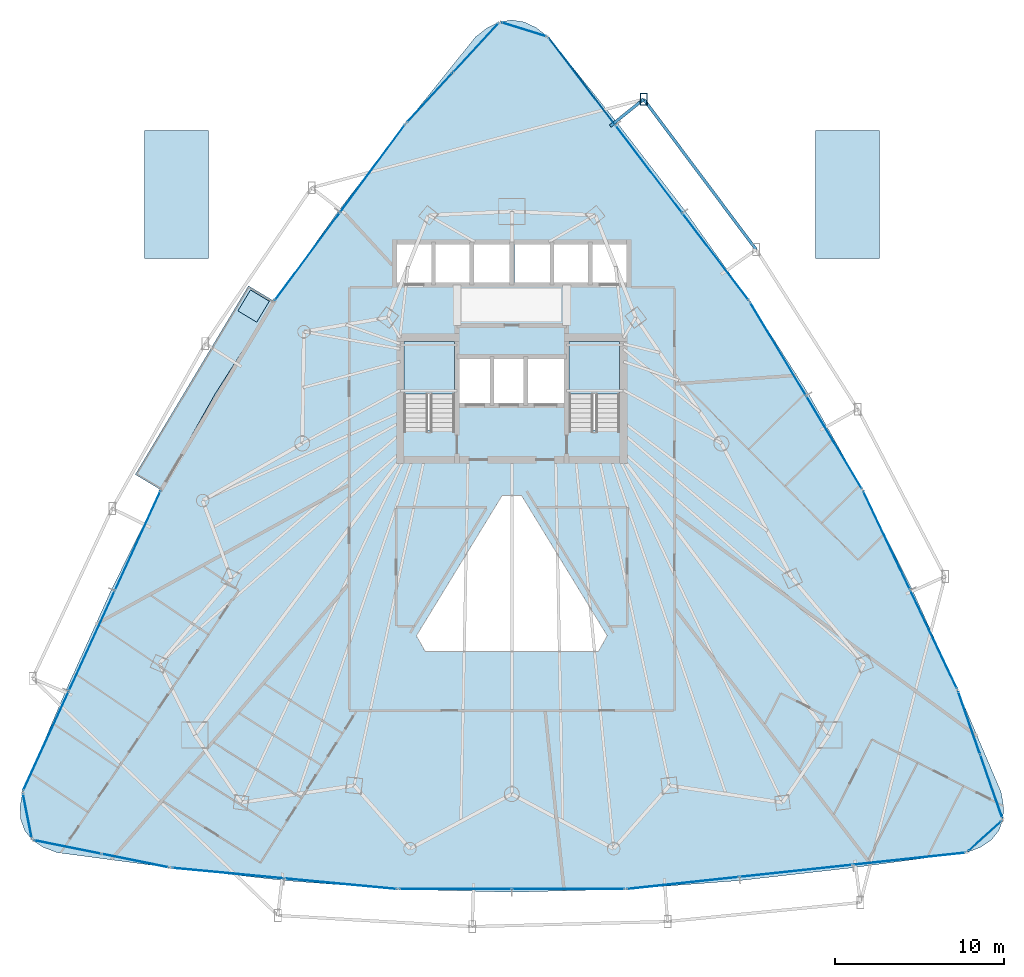
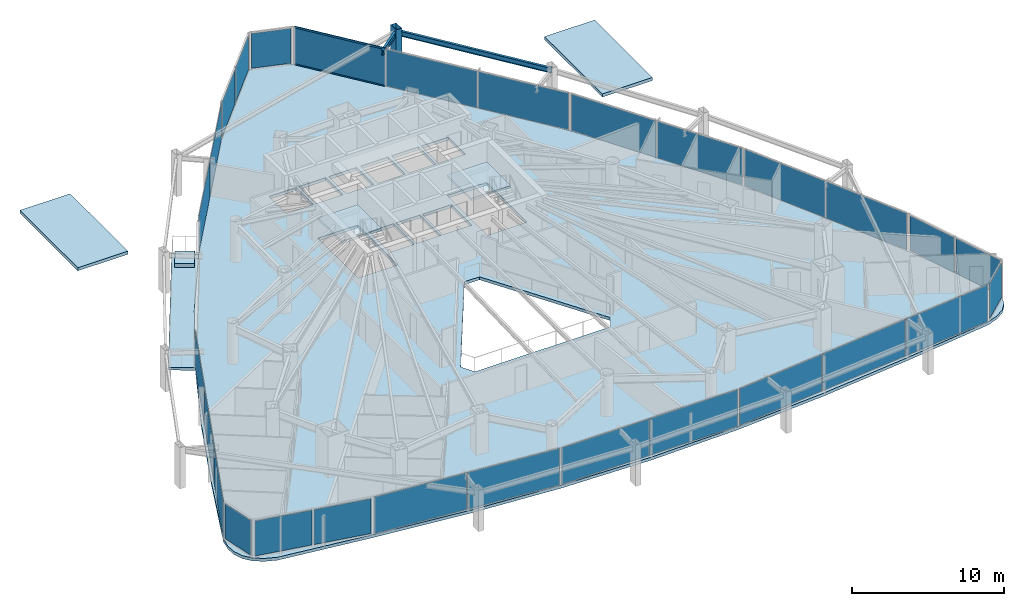
# One storey, part 28 of 35: 28 plates, 7 slabs, 3 members, 2 beams, 16 elements without a shape of their own.
"""IFC4 building model written with IfcOpenShell, lengths in metres."""

from ifc_helpers import new_model, si_unit, direction, frame, origin, origin_2d, place, context, subcontext, project, spatial, polyline, rectangle, hollow_rectangle, i_section, outline, extrude, material, layer, layer_set, material_profile, profile_set, type_object, element, aggregate, save


model = new_model("IFC4")

# Units and contexts
model_context = context("Model", 3, precision=1e-05, world=origin(), true_north=direction((0.0, 1.0)))
body_context = subcontext(model_context, "Body", "Model", "MODEL_VIEW")
ifc_project = project(units=[si_unit("LENGTHUNIT", "METRE"), si_unit("AREAUNIT", "SQUARE_METRE"), si_unit("VOLUMEUNIT", "CUBIC_METRE"), si_unit("PLANEANGLEUNIT", "RADIAN"), si_unit("MASSUNIT", "GRAM", prefix="KILO")], contexts=[model_context])

# Site, building, storey
site_placement = place(None, origin())
site = spatial("IfcSite", under=ifc_project, at=site_placement, CompositionType="ELEMENT")
building_placement = place(site_placement, origin())
building = spatial("IfcBuilding", under=site, at=building_placement, Name="Orvanel Arch Residences", CompositionType="ELEMENT")
storey_placement = place(building_placement, frame((0.0, 0.0, 26.89990234375)))
storey = spatial("IfcBuildingStorey", under=building, at=storey_placement, Name="L06", CompositionType="ELEMENT", Elevation=26.89990234375)

# Member
ifc_material_1 = material(Name="Structural steel AS/NZS 3678 Grade 350", Category="steel")
ifc_material_profile_1 = material_profile(ifc_material_1, hollow_rectangle(XDim=0.419921875, YDim=0.719970703125, WallThickness=0.02490234375, at=origin_2d()), Name="RHS720x420x25")
ifc_profile_set_1 = profile_set([ifc_material_profile_1], Name="Structural steel AS/NZS 3678 Grade 350")
member_type_1 = type_object("IfcMemberType", Name="CH-720RHS-EXT", PredefinedType="CHORD", material=ifc_profile_set_1)
member_1_placement = place(storey_placement, frame((40.822021484375, 48.05908203125, 0.0), z_axis=(0.0, 0.0, 1.0), x_axis=(1.0, 0.0, 0.0)))
element("IfcMember", 1, at=member_1_placement, inside=storey, type_object=member_type_1, Name="L06 Outer Perimeter Frame Post 12", PredefinedType="CHORD", context=body_context, shape_type="SweptSolid", body=[
    extrude(hollow_rectangle(XDim=0.419921875, YDim=0.719970703125, WallThickness=0.02490234375, at=origin_2d()), origin(), (0.0, 0.0, 1.0), 3.300048828125),
])

# Beams
ifc_material_2 = material(Name="Structural steel AS/NZS 3679.1 Grade 300 (300 MPa)", Category="steel")
ifc_material_profile_2 = material_profile(ifc_material_2, i_section(OverallWidth=0.177978515625, OverallDepth=0.406005859375, WebThickness=0.0078125, FlangeThickness=0.0126953125, at=origin_2d()), Name="410UB59.7")
ifc_profile_set_2 = profile_set([ifc_material_profile_2], Name="Structural steel AS/NZS 3679.1 Grade 300 (300 MPa)")
beam_type = type_object("IfcBeamType", Name="OB-410UB-EXT", PredefinedType="SPANDREL", material=ifc_profile_set_2)
beam_1_placement = place(storey_placement, frame((47.489013671875, 39.14306640625, 2.857177734375), z_axis=(-0.598848523343, 0.800862314065, 0.0), x_axis=(-0.800862314065, -0.598848523343, 0.0)))
element("IfcBeam", 2, at=beam_1_placement, inside=storey, type_object=beam_type, Name="L06 Outer Perimeter Floor Ring Beam 11", PredefinedType="SPANDREL", context=body_context, shape_type="SweptSolid", body=[
    extrude(i_section(OverallWidth=0.177978515625, OverallDepth=0.406005859375, WebThickness=0.0078125, FlangeThickness=0.0126953125, at=origin_2d()), origin(), (0.0, 0.0, 1.0), 11.133056640625),
])
beam_2_placement = place(storey_placement, frame((38.8349609375, 46.4609375, 2.857177734375), z_axis=(0.779240894575, 0.626724523392, 0.0), x_axis=(-0.626724523392, 0.779240894575, 0.0)))
element("IfcBeam", 3, at=beam_2_placement, inside=storey, type_object=beam_type, Name="L06 Outer Frame Radial Tie Beam 12", PredefinedType="SPANDREL", context=body_context, shape_type="SweptSolid", body=[
    extrude(i_section(OverallWidth=0.177978515625, OverallDepth=0.406005859375, WebThickness=0.0078125, FlangeThickness=0.0126953125, at=origin_2d()), origin(), (0.0, 0.0, 1.0), 2.550048828125),
])

# Curtain wall, members
ifc_material_3 = material(Name="Bronze-anodised aluminium AA6063-T6", Category="aluminium")
ifc_layer_1 = layer(ifc_material_3, 0.179931640625)
ifc_layer_set_1 = layer_set([ifc_layer_1], Name="Bronze-anodised aluminium AA6063-T6")
curtain_wall_type_1 = type_object("IfcCurtainWallType", Name="CW2-LOW-SYS", PredefinedType="NOTDEFINED", material=ifc_layer_set_1)
curtain_wall_1_placement = place(storey_placement, origin())
curtain_wall_1 = element("IfcCurtainWall", 4, at=curtain_wall_1_placement, inside=storey, type_object=curtain_wall_type_1, Name="L06 CW2-LOW-SYS Unitised Curtain Wall", PredefinedType="NOTDEFINED")
ifc_material_profile_3 = material_profile(ifc_material_3, hollow_rectangle(XDim=0.06005859375, YDim=0.135009765625, WallThickness=0.00390625, at=origin_2d()), Name="ALU135x60x4")
ifc_profile_set_3 = profile_set([ifc_material_profile_3], Name="Bronze-anodised aluminium AA6063-T6")
member_type_2 = type_object("IfcMemberType", Name="TRN-135x60", PredefinedType="USERDEFINED", material=ifc_profile_set_3)
member_2_placement = place(storey_placement, frame((39.120361328125, 46.546630859375, 0.030029296875), z_axis=(-0.605818439678, 0.795602927437, 0.0), x_axis=(-0.795602927437, -0.605818439678, 0.0)))
member_2 = element("IfcMember", 5, at=member_2_placement, type_object=member_type_2, Name="CW-S2 transom 3.1", ObjectType="TRANSOM", PredefinedType="USERDEFINED", context=body_context, shape_type="SweptSolid", body=[
    extrude(hollow_rectangle(XDim=0.06005859375, YDim=0.135009765625, WallThickness=0.00390625, at=origin_2d()), origin(), (0.0, 0.0, 1.0), 6.447509765625),
])
member_3_placement = place(storey_placement, frame((39.120361328125, 46.546630859375, 3.030029296875), z_axis=(-0.605818439678, 0.795602927437, 0.0), x_axis=(-0.795602927437, -0.605818439678, 0.0)))
member_3 = element("IfcMember", 6, at=member_3_placement, type_object=member_type_2, Name="CW-S2 transom 3.2", ObjectType="TRANSOM", PredefinedType="USERDEFINED", context=body_context, shape_type="SweptSolid", body=[
    extrude(hollow_rectangle(XDim=0.06005859375, YDim=0.135009765625, WallThickness=0.00390625, at=origin_2d()), origin(), (0.0, 0.0, 1.0), 6.447509765625),
])

# Curtain wall, plates
curtain_wall_2_placement = place(storey_placement, origin())
curtain_wall_2 = element("IfcCurtainWall", 7, at=curtain_wall_2_placement, inside=storey, type_object=curtain_wall_type_1, Name="L06 CW2-LOW-SYS Unitised Curtain Wall", PredefinedType="NOTDEFINED")
ifc_material_4 = material(Name="Double-glazed solar-control low-E safety glass", Category="glass")
ifc_layer_2 = layer(ifc_material_4, 0.028076171875)
ifc_layer_set_2 = layer_set([ifc_layer_2], Name="Double-glazed solar-control low-E safety glass")
plate_type_1 = type_object("IfcPlateType", Name="PNL-GLZ-28", PredefinedType="CURTAIN_PANEL", material=ifc_layer_set_2)
plate_1_placement = place(storey_placement, frame((24.74365234375, 43.95751953125, 0.06005859375), z_axis=(0.0, 0.0, 1.0), x_axis=(-0.595117785002, -0.803638489605, 0.0)))
plate_1 = element("IfcPlate", 8, at=plate_1_placement, type_object=plate_type_1, Name="CW-S2 panel 1.1", PredefinedType="CURTAIN_PANEL", context=body_context, shape_type="SweptSolid", body=[
    extrude(rectangle(XDim=6.431640625, YDim=0.028076171875, at=origin_2d()), origin(), (0.0, 0.0, 1.0), 2.93994140625),
])
plate_2_placement = place(storey_placement, frame((20.87451171875, 38.732666015625, 0.06005859375), z_axis=(0.0, 0.0, 1.0), x_axis=(-0.595117785002, -0.803638489605, 0.0)))
plate_2 = element("IfcPlate", 9, at=plate_2_placement, type_object=plate_type_1, Name="CW-S2 panel 2.1", PredefinedType="CURTAIN_PANEL", context=body_context, shape_type="SweptSolid", body=[
    extrude(rectangle(XDim=6.431640625, YDim=0.028076171875, at=origin_2d()), origin(), (0.0, 0.0, 1.0), 2.93994140625),
])
aggregate(curtain_wall_2, [plate_1, plate_2])

curtain_wall_3_placement = place(storey_placement, origin())
curtain_wall_3 = element("IfcCurtainWall", 10, at=curtain_wall_3_placement, inside=storey, type_object=curtain_wall_type_1, Name="L06 CW2-LOW-SYS Unitised Curtain Wall", PredefinedType="NOTDEFINED")
plate_3_placement = place(storey_placement, frame((10.812255859375, 21.870849609375, 0.06005859375), z_axis=(0.0, 0.0, 1.0), x_axis=(-0.416763304229, -0.909015042916, 0.0)))
plate_3 = element("IfcPlate", 11, at=plate_3_placement, type_object=plate_type_1, Name="CW-S2 panel 1.1", PredefinedType="CURTAIN_PANEL", context=body_context, shape_type="SweptSolid", body=[
    extrude(rectangle(XDim=6.447998046875, YDim=0.028076171875, at=origin_2d()), origin(), (0.0, 0.0, 1.0), 2.93994140625),
])
plate_4_placement = place(storey_placement, frame((8.08837890625, 15.929931640625, 0.06005859375), z_axis=(0.0, 0.0, 1.0), x_axis=(-0.416763304229, -0.909015042916, 0.0)))
plate_4 = element("IfcPlate", 12, at=plate_4_placement, type_object=plate_type_1, Name="CW-S2 panel 2.1", PredefinedType="CURTAIN_PANEL", context=body_context, shape_type="SweptSolid", body=[
    extrude(rectangle(XDim=6.48291015625, YDim=0.028076171875, at=origin_2d()), origin(), (0.0, 0.0, 1.0), 2.93994140625),
])
plate_5_placement = place(storey_placement, frame((5.36474609375, 9.9892578125, 0.06005859375), z_axis=(0.0, 0.0, 1.0), x_axis=(-0.416763304229, -0.909015042916, 0.0)))
plate_5 = element("IfcPlate", 13, at=plate_5_placement, type_object=plate_type_1, Name="CW-S2 panel 3.1", PredefinedType="CURTAIN_PANEL", context=body_context, shape_type="SweptSolid", body=[
    extrude(rectangle(XDim=6.447998046875, YDim=0.028076171875, at=origin_2d()), origin(), (0.0, 0.0, 1.0), 2.93994140625),
])
aggregate(curtain_wall_3, [plate_3, plate_4, plate_5])

curtain_wall_4_placement = place(storey_placement, origin())
curtain_wall_4 = element("IfcCurtainWall", 14, at=curtain_wall_4_placement, inside=storey, type_object=curtain_wall_type_1, Name="L06 CW2-LOW-SYS Unitised Curtain Wall", PredefinedType="NOTDEFINED")
plate_6_placement = place(storey_placement, frame((16.166748046875, 2.1552734375, 0.06005859375), z_axis=(0.0, 0.0, 1.0), x_axis=(0.995584855885, -0.093865833683, 0.0)))
plate_6 = element("IfcPlate", 15, at=plate_6_placement, type_object=plate_type_1, Name="CW-S2 panel 1.1", PredefinedType="CURTAIN_PANEL", context=body_context, shape_type="SweptSolid", body=[
    extrude(rectangle(XDim=6.6494140625, YDim=0.028076171875, at=origin_2d()), origin(), (0.0, 0.0, 1.0), 2.93994140625),
])
plate_7_placement = place(storey_placement, frame((22.8564453125, 1.524658203125, 0.06005859375), z_axis=(0.0, 0.0, 1.0), x_axis=(0.995584855885, -0.093865833683, 0.0)))
plate_7 = element("IfcPlate", 16, at=plate_7_placement, type_object=plate_type_1, Name="CW-S2 panel 2.1", PredefinedType="CURTAIN_PANEL", context=body_context, shape_type="SweptSolid", body=[
    extrude(rectangle(XDim=6.6494140625, YDim=0.028076171875, at=origin_2d()), origin(), (0.0, 0.0, 1.0), 2.93994140625),
])
aggregate(curtain_wall_4, [plate_6, plate_7])

curtain_wall_5_placement = place(storey_placement, origin())
curtain_wall_5 = element("IfcCurtainWall", 17, at=curtain_wall_5_placement, inside=storey, type_object=curtain_wall_type_1, Name="L06 CW2-LOW-SYS Unitised Curtain Wall", PredefinedType="NOTDEFINED")
plate_8_placement = place(storey_placement, frame((29.655517578125, 1.2041015625, 0.06005859375), z_axis=(0.0, 0.0, 1.0), x_axis=(1.0, 0.0, 0.0)))
plate_8 = element("IfcPlate", 18, at=plate_8_placement, type_object=plate_type_1, Name="CW-S2 panel 1.1", PredefinedType="CURTAIN_PANEL", context=body_context, shape_type="SweptSolid", body=[
    extrude(rectangle(XDim=6.618896484375, YDim=0.028076171875, at=origin_2d()), origin(), (0.0, 0.0, 1.0), 2.93994140625),
])
plate_9_placement = place(storey_placement, frame((36.344482421875, 1.2041015625, 0.06005859375), z_axis=(0.0, 0.0, 1.0), x_axis=(1.0, 0.0, 0.0)))
plate_9 = element("IfcPlate", 19, at=plate_9_placement, type_object=plate_type_1, Name="CW-S2 panel 2.1", PredefinedType="CURTAIN_PANEL", context=body_context, shape_type="SweptSolid", body=[
    extrude(rectangle(XDim=6.618896484375, YDim=0.028076171875, at=origin_2d()), origin(), (0.0, 0.0, 1.0), 2.93994140625),
])
aggregate(curtain_wall_5, [plate_8, plate_9])

curtain_wall_6_placement = place(storey_placement, origin())
curtain_wall_6 = element("IfcCurtainWall", 20, at=curtain_wall_6_placement, inside=storey, type_object=curtain_wall_type_1, Name="L06 CW2-LOW-SYS Unitised Curtain Wall", PredefinedType="NOTDEFINED")
plate_10_placement = place(storey_placement, frame((43.14697265625, 1.569091796875, 0.06005859375), z_axis=(0.0, 0.0, 1.0), x_axis=(0.994291070685, 0.106701765481, 0.0)))
plate_10 = element("IfcPlate", 21, at=plate_10_placement, type_object=plate_type_1, Name="CW-S2 panel 1.1", PredefinedType="CURTAIN_PANEL", context=body_context, shape_type="SweptSolid", body=[
    extrude(rectangle(XDim=6.66455078125, YDim=0.028076171875, at=origin_2d()), origin(), (0.0, 0.0, 1.0), 2.93994140625),
])
plate_11_placement = place(storey_placement, frame((49.860595703125, 2.28955078125, 0.06005859375), z_axis=(0.0, 0.0, 1.0), x_axis=(0.994291070685, 0.106701765481, 0.0)))
plate_11 = element("IfcPlate", 22, at=plate_11_placement, type_object=plate_type_1, Name="CW-S2 panel 2.1", PredefinedType="CURTAIN_PANEL", context=body_context, shape_type="SweptSolid", body=[
    extrude(rectangle(XDim=6.69970703125, YDim=0.028076171875, at=origin_2d()), origin(), (0.0, 0.0, 1.0), 2.93994140625),
])
plate_12_placement = place(storey_placement, frame((56.57421875, 3.010009765625, 0.06005859375), z_axis=(0.0, 0.0, 1.0), x_axis=(0.994291070685, 0.106701765481, 0.0)))
plate_12 = element("IfcPlate", 23, at=plate_12_placement, type_object=plate_type_1, Name="CW-S2 panel 3.1", PredefinedType="CURTAIN_PANEL", context=body_context, shape_type="SweptSolid", body=[
    extrude(rectangle(XDim=6.66455078125, YDim=0.028076171875, at=origin_2d()), origin(), (0.0, 0.0, 1.0), 2.93994140625),
])
aggregate(curtain_wall_6, [plate_10, plate_11, plate_12])

curtain_wall_7_placement = place(storey_placement, origin())
curtain_wall_7 = element("IfcCurtainWall", 24, at=curtain_wall_7_placement, inside=storey, type_object=curtain_wall_type_1, Name="L06 CW2-LOW-SYS Unitised Curtain Wall", PredefinedType="NOTDEFINED")
plate_13_placement = place(storey_placement, frame((58.012939453125, 16.0224609375, 0.06005859375), z_axis=(0.0, 0.0, 1.0), x_axis=(-0.428793124403, 0.903402710016, 0.0)))
plate_13 = element("IfcPlate", 25, at=plate_13_placement, type_object=plate_type_1, Name="CW-S2 panel 1.1", PredefinedType="CURTAIN_PANEL", context=body_context, shape_type="SweptSolid", body=[
    extrude(rectangle(XDim=6.431884765625, YDim=0.028076171875, at=origin_2d()), origin(), (0.0, 0.0, 1.0), 2.93994140625),
])
plate_14_placement = place(storey_placement, frame((55.22509765625, 21.896484375, 0.06005859375), z_axis=(0.0, 0.0, 1.0), x_axis=(-0.428793124403, 0.903402710016, 0.0)))
plate_14 = element("IfcPlate", 26, at=plate_14_placement, type_object=plate_type_1, Name="CW-S2 panel 2.1", PredefinedType="CURTAIN_PANEL", context=body_context, shape_type="SweptSolid", body=[
    extrude(rectangle(XDim=6.431884765625, YDim=0.028076171875, at=origin_2d()), origin(), (0.0, 0.0, 1.0), 2.93994140625),
])
aggregate(curtain_wall_7, [plate_13, plate_14])

curtain_wall_8_placement = place(storey_placement, origin())
curtain_wall_8 = element("IfcCurtainWall", 27, at=curtain_wall_8_placement, inside=storey, type_object=curtain_wall_type_1, Name="L06 CW2-LOW-SYS Unitised Curtain Wall", PredefinedType="NOTDEFINED")
plate_15_placement = place(storey_placement, frame((52.114501953125, 27.704833984375, 0.06005859375), z_axis=(0.0, 0.0, 1.0), x_axis=(-0.514416645603, 0.857540386644, 0.0)))
plate_15 = element("IfcPlate", 28, at=plate_15_placement, type_object=plate_type_1, Name="CW-S2 panel 1.1", PredefinedType="CURTAIN_PANEL", context=body_context, shape_type="SweptSolid", body=[
    extrude(rectangle(XDim=6.4013671875, YDim=0.028076171875, at=origin_2d()), origin(), (0.0, 0.0, 1.0), 2.93994140625),
])
plate_16_placement = place(storey_placement, frame((48.785400390625, 33.254150390625, 0.06005859375), z_axis=(0.0, 0.0, 1.0), x_axis=(-0.514416645603, 0.857540386644, 0.0)))
plate_16 = element("IfcPlate", 29, at=plate_16_placement, type_object=plate_type_1, Name="CW-S2 panel 2.1", PredefinedType="CURTAIN_PANEL", context=body_context, shape_type="SweptSolid", body=[
    extrude(rectangle(XDim=6.4013671875, YDim=0.028076171875, at=origin_2d()), origin(), (0.0, 0.0, 1.0), 2.93994140625),
])
aggregate(curtain_wall_8, [plate_15, plate_16])

# Plate
plate_17_placement = place(storey_placement, frame((45.08544921875, 38.712646484375, 0.06005859375), z_axis=(0.0, 0.0, 1.0), x_axis=(-0.605811756299, 0.795608016507, 0.0)))
plate_17 = element("IfcPlate", 30, at=plate_17_placement, type_object=plate_type_1, Name="CW-S2 panel 1.1", PredefinedType="CURTAIN_PANEL", context=body_context, shape_type="SweptSolid", body=[
    extrude(rectangle(XDim=6.44775390625, YDim=0.028076171875, at=origin_2d()), origin(), (0.0, 0.0, 1.0), 2.93994140625),
])

plate_18_placement = place(storey_placement, frame((41.12646484375, 43.912109375, 0.06005859375), z_axis=(0.0, 0.0, 1.0), x_axis=(-0.605811756299, 0.795608016507, 0.0)))
plate_18 = element("IfcPlate", 31, at=plate_18_placement, type_object=plate_type_1, Name="CW-S2 panel 2.1", PredefinedType="CURTAIN_PANEL", context=body_context, shape_type="SweptSolid", body=[
    extrude(rectangle(XDim=6.482666015625, YDim=0.028076171875, at=origin_2d()), origin(), (0.0, 0.0, 1.0), 2.93994140625),
])

plate_19_placement = place(storey_placement, frame((37.16748046875, 49.111328125, 0.06005859375), z_axis=(0.0, 0.0, 1.0), x_axis=(-0.605811756299, 0.795608016507, 0.0)))
plate_19 = element("IfcPlate", 32, at=plate_19_placement, type_object=plate_type_1, Name="CW-S2 panel 3.1", PredefinedType="CURTAIN_PANEL", context=body_context, shape_type="SweptSolid", body=[
    extrude(rectangle(XDim=6.44775390625, YDim=0.028076171875, at=origin_2d()), origin(), (0.0, 0.0, 1.0), 2.93994140625),
])

aggregate(curtain_wall_1, [plate_17, plate_18, member_2, member_3, plate_19])

# Curtain wall, plate
ifc_layer_3 = layer(ifc_material_3, 0.18994140625)
ifc_layer_set_3 = layer_set([ifc_layer_3], Name="Bronze-anodised aluminium AA6063-T6")
curtain_wall_type_2 = type_object("IfcCurtainWallType", Name="CW5-CRN-SYS", PredefinedType="NOTDEFINED", material=ifc_layer_set_3)
curtain_wall_9_placement = place(storey_placement, origin())
curtain_wall_9 = element("IfcCurtainWall", 33, at=curtain_wall_9_placement, inside=storey, type_object=curtain_wall_type_2, Name="L06 CW5-CRN-SYS Unitised Curtain Wall", PredefinedType="NOTDEFINED")
ifc_layer_4 = layer(ifc_material_4, 0.031982421875)
ifc_layer_set_4 = layer_set([ifc_layer_4], Name="Double-glazed solar-control low-E safety glass")
plate_type_2 = type_object("IfcPlateType", Name="PNL-GLZ-32", PredefinedType="CURTAIN_PANEL", material=ifc_layer_set_4)
plate_20_placement = place(storey_placement, frame((33.719970703125, 52.196533203125, 0.1298828125), z_axis=(0.0, 0.0, 1.0), x_axis=(-0.954778389381, 0.297318393597, 0.0)))
plate_20 = element("IfcPlate", 34, at=plate_20_placement, type_object=plate_type_2, Name="CW-S5 panel 1.1", PredefinedType="CURTAIN_PANEL", context=body_context, shape_type="SweptSolid", body=[
    extrude(rectangle(XDim=2.676513671875, YDim=0.031982421875, at=origin_2d()), origin(), (0.0, 0.0, 1.0), 2.800048828125),
])
aggregate(curtain_wall_9, [plate_20])

# Curtain wall, plates
curtain_wall_10_placement = place(storey_placement, origin())
curtain_wall_10 = element("IfcCurtainWall", 35, at=curtain_wall_10_placement, inside=storey, type_object=curtain_wall_type_2, Name="L06 CW5-CRN-SYS Unitised Curtain Wall", PredefinedType="NOTDEFINED")
plate_21_placement = place(storey_placement, frame((30.855224609375, 51.102294921875, 0.1298828125), z_axis=(0.0, 0.0, 1.0), x_axis=(-0.678386879912, -0.734704866707, 0.0)))
plate_21 = element("IfcPlate", 36, at=plate_21_placement, type_object=plate_type_2, Name="CW-S5 panel 1.1", PredefinedType="CURTAIN_PANEL", context=body_context, shape_type="SweptSolid", body=[
    extrude(rectangle(XDim=3.85888671875, YDim=0.031982421875, at=origin_2d()), origin(), (0.0, 0.0, 1.0), 2.800048828125),
])
plate_22_placement = place(storey_placement, frame((28.1357421875, 48.15673828125, 0.1298828125), z_axis=(0.0, 0.0, 1.0), x_axis=(-0.678386879912, -0.734704866707, 0.0)))
plate_22 = element("IfcPlate", 37, at=plate_22_placement, type_object=plate_type_2, Name="CW-S5 panel 2.1", PredefinedType="CURTAIN_PANEL", context=body_context, shape_type="SweptSolid", body=[
    extrude(rectangle(XDim=3.85888671875, YDim=0.031982421875, at=origin_2d()), origin(), (0.0, 0.0, 1.0), 2.800048828125),
])
aggregate(curtain_wall_10, [plate_21, plate_22])

# Curtain wall, plate
curtain_wall_11_placement = place(storey_placement, origin())
curtain_wall_11 = element("IfcCurtainWall", 38, at=curtain_wall_11_placement, inside=storey, type_object=curtain_wall_type_2, Name="L06 CW5-CRN-SYS Unitised Curtain Wall", PredefinedType="NOTDEFINED")
plate_23_placement = place(storey_placement, frame((4.26806640625, 5.552001953125, 0.1298828125), z_axis=(0.0, 0.0, 1.0), x_axis=(0.195444918456, -0.980714680144, 0.0)))
plate_23 = element("IfcPlate", 39, at=plate_23_placement, type_object=plate_type_2, Name="CW-S5 panel 1.1", PredefinedType="CURTAIN_PANEL", context=body_context, shape_type="SweptSolid", body=[
    extrude(rectangle(XDim=2.565185546875, YDim=0.031982421875, at=origin_2d()), origin(), (0.0, 0.0, 1.0), 2.800048828125),
])
aggregate(curtain_wall_11, [plate_23])

# Curtain wall, plates
curtain_wall_12_placement = place(storey_placement, origin())
curtain_wall_12 = element("IfcCurtainWall", 40, at=curtain_wall_12_placement, inside=storey, type_object=curtain_wall_type_2, Name="L06 CW5-CRN-SYS Unitised Curtain Wall", PredefinedType="NOTDEFINED")
plate_24_placement = place(storey_placement, frame((6.652587890625, 3.704833984375, 0.1298828125), z_axis=(0.0, 0.0, 1.0), x_axis=(0.980395740086, -0.197038556687, 0.0)))
plate_24 = element("IfcPlate", 41, at=plate_24_placement, type_object=plate_type_2, Name="CW-S5 panel 1.1", PredefinedType="CURTAIN_PANEL", context=body_context, shape_type="SweptSolid", body=[
    extrude(rectangle(XDim=3.9443359375, YDim=0.031982421875, at=origin_2d()), origin(), (0.0, 0.0, 1.0), 2.800048828125),
])
plate_25_placement = place(storey_placement, frame((10.66650390625, 2.898193359375, 0.1298828125), z_axis=(0.0, 0.0, 1.0), x_axis=(0.980395740086, -0.197038556687, 0.0)))
plate_25 = element("IfcPlate", 42, at=plate_25_placement, type_object=plate_type_2, Name="CW-S5 panel 2.1", PredefinedType="CURTAIN_PANEL", context=body_context, shape_type="SweptSolid", body=[
    extrude(rectangle(XDim=3.9443359375, YDim=0.031982421875, at=origin_2d()), origin(), (0.0, 0.0, 1.0), 2.800048828125),
])
aggregate(curtain_wall_12, [plate_24, plate_25])

# Curtain wall, plate
curtain_wall_13_placement = place(storey_placement, origin())
curtain_wall_13 = element("IfcCurtainWall", 43, at=curtain_wall_13_placement, inside=storey, type_object=curtain_wall_type_2, Name="L06 CW5-CRN-SYS Unitised Curtain Wall", PredefinedType="NOTDEFINED")
plate_26_placement = place(storey_placement, frame((61.052490234375, 4.3515625, 0.1298828125), z_axis=(0.0, 0.0, 1.0), x_axis=(0.740145309845, 0.672446964685, 0.0)))
plate_26 = element("IfcPlate", 44, at=plate_26_placement, type_object=plate_type_2, Name="CW-S5 panel 1.1", PredefinedType="CURTAIN_PANEL", context=body_context, shape_type="SweptSolid", body=[
    extrude(rectangle(XDim=2.565673828125, YDim=0.031982421875, at=origin_2d()), origin(), (0.0, 0.0, 1.0), 2.800048828125),
])
aggregate(curtain_wall_13, [plate_26])

# Curtain wall, plates
curtain_wall_14_placement = place(storey_placement, origin())
curtain_wall_14 = element("IfcCurtainWall", 45, at=curtain_wall_14_placement, inside=storey, type_object=curtain_wall_type_2, Name="L06 CW5-CRN-SYS Unitised Curtain Wall", PredefinedType="NOTDEFINED")
plate_27_placement = place(storey_placement, frame((61.43798828125, 7.2998046875, 0.1298828125), z_axis=(0.0, 0.0, 1.0), x_axis=(-0.330185966322, 0.943915900726, 0.0)))
plate_27 = element("IfcPlate", 46, at=plate_27_placement, type_object=plate_type_2, Name="CW-S5 panel 1.1", PredefinedType="CURTAIN_PANEL", context=body_context, shape_type="SweptSolid", body=[
    extrude(rectangle(XDim=3.837890625, YDim=0.031982421875, at=origin_2d()), origin(), (0.0, 0.0, 1.0), 2.800048828125),
])
plate_28_placement = place(storey_placement, frame((60.12109375, 11.064208984375, 0.1298828125), z_axis=(0.0, 0.0, 1.0), x_axis=(-0.330185966322, 0.943915900726, 0.0)))
plate_28 = element("IfcPlate", 47, at=plate_28_placement, type_object=plate_type_2, Name="CW-S5 panel 2.1", PredefinedType="CURTAIN_PANEL", context=body_context, shape_type="SweptSolid", body=[
    extrude(rectangle(XDim=3.837890625, YDim=0.031982421875, at=origin_2d()), origin(), (0.0, 0.0, 1.0), 2.800048828125),
])
aggregate(curtain_wall_14, [plate_27, plate_28])

# Slab
ifc_material_5 = material(Name="Concrete N40 (40 MPa)", Category="concrete")
ifc_layer_5 = layer(ifc_material_5, 0.215087890625)
ifc_layer_set_5 = layer_set([ifc_layer_5], Name="Concrete N40 (40 MPa)")
slab_type_1 = type_object("IfcSlabType", Name="SLB-BAL-215", PredefinedType="FLOOR", material=ifc_layer_set_5)
slab_1_placement = place(storey_placement, frame((0.0, 0.0, -0.21484375)))
element("IfcSlab", 48, at=slab_1_placement, inside=storey, type_object=slab_type_1, Name="L06 Cantilevered Balcony Slab Face 1", PredefinedType="FLOOR", context=body_context, shape_type="SweptSolid", body=[
    extrude(outline(polyline([(17.3798828125, 36.990966796875), (10.666015625, 25.799072265625), (12.193115234375, 24.883056640625), (15.39599609375, 30.571044921875), (18.906982421875, 36.075927734375), (17.3798828125, 36.990966796875)])), origin(), (0.0, 0.0, 1.0), 0.21484375),
])

# Stair, slab
ifc_material_6 = material(Name="Precast concrete N50 (50 MPa)", Category="concrete")
stair_type = type_object("IfcStairType", Name="STR-DOG-184", PredefinedType="USERDEFINED", material=ifc_material_6)
stair_1_placement = place(storey_placement, origin())
stair_1 = element("IfcStair", 49, at=stair_1_placement, inside=storey, type_object=stair_type, Name="L06 Fire-Isolated Core Exit Stair 1", ObjectType="TWO_RETURN_STAIR", PredefinedType="USERDEFINED")
ifc_layer_6 = layer(ifc_material_5, 0.199951171875)
ifc_layer_set_6 = layer_set([ifc_layer_6], Name="Concrete N40 (40 MPa)")
slab_type_2 = type_object("IfcSlabType", Name="SLB-LND-200", PredefinedType="LANDING", material=ifc_layer_set_6)
slab_2_placement = place(storey_placement, frame((0.0, 0.0, 1.4501953125)))
slab_2 = element("IfcSlab", 50, at=slab_2_placement, type_object=slab_type_2, Name="ST-1 landing 1", PredefinedType="LANDING", context=body_context, shape_type="SweptSolid", body=[
    extrude(outline(polyline([(29.60009765625, 30.56005859375), (29.60009765625, 33.699951171875), (26.60009765625, 33.699951171875), (26.60009765625, 30.56005859375), (29.60009765625, 30.56005859375)])), origin(), (0.0, 0.0, 1.0), 0.199951171875),
])
aggregate(stair_1, [slab_2])

stair_2_placement = place(storey_placement, origin())
stair_2 = element("IfcStair", 51, at=stair_2_placement, inside=storey, type_object=stair_type, Name="L06 Fire-Isolated Core Exit Stair 2", ObjectType="TWO_RETURN_STAIR", PredefinedType="USERDEFINED")
slab_3_placement = place(storey_placement, frame((0.0, 0.0, 1.4501953125)))
slab_3 = element("IfcSlab", 52, at=slab_3_placement, type_object=slab_type_2, Name="ST-2 landing 1", PredefinedType="LANDING", context=body_context, shape_type="SweptSolid", body=[
    extrude(outline(polyline([(39.39990234375, 30.56005859375), (39.39990234375, 33.699951171875), (36.39990234375, 33.699951171875), (36.39990234375, 30.56005859375), (39.39990234375, 30.56005859375)])), origin(), (0.0, 0.0, 1.0), 0.199951171875),
])
aggregate(stair_2, [slab_3])

# Slabs
ifc_material_7 = material(Name="Structural architectural precast concrete N40 (40 MPa) planter", Category="concrete")
ifc_layer_7 = layer(ifc_material_7, 0.320068359375)
ifc_layer_set_7 = layer_set([ifc_layer_7], Name="Structural architectural precast concrete N40 (40 MPa) planter")
slab_type_3 = type_object("IfcSlabType", Name="SLB-PLN-320", PredefinedType="USERDEFINED", material=ifc_layer_set_7)
slab_4_placement = place(storey_placement, origin())
element("IfcSlab", 53, at=slab_4_placement, inside=storey, type_object=slab_type_3, Name="L06 Balcony TREE PLANTER Face 1", ObjectType="PLANTER", PredefinedType="USERDEFINED", context=body_context, shape_type="SweptSolid", body=[
    extrude(outline(polyline([(17.5, 36.743896484375), (16.75390625, 35.5009765625), (17.868896484375, 34.83203125), (18.614990234375, 36.075927734375), (17.5, 36.743896484375)])), origin(), (0.0, 0.0, 1.0), 0.320068359375),
])
ifc_layer_8 = layer(ifc_material_5, 0.25)
ifc_layer_set_8 = layer_set([ifc_layer_8], Name="Concrete N40 (40 MPa)")
slab_type_4 = type_object("IfcSlabType", Name="SLB-PODROOF-250", PredefinedType="ROOF", material=ifc_layer_set_8)
slab_5_placement = place(storey_placement, frame((0.0, 0.0, -0.199951171875)))
element("IfcSlab", 54, at=slab_5_placement, inside=storey, type_object=slab_type_4, Name="L06 ST3 Stair Headhouse Roof Slab", PredefinedType="ROOF", context=body_context, shape_type="SweptSolid", body=[
    extrude(outline(polyline([(11.199951171875, 38.60009765625), (15.0, 38.60009765625), (15.0, 46.199951171875), (11.199951171875, 46.199951171875), (11.199951171875, 38.60009765625)])), origin(), (0.0, 0.0, 1.0), 0.25),
])
slab_6_placement = place(storey_placement, frame((0.0, 0.0, -0.199951171875)))
element("IfcSlab", 55, at=slab_6_placement, inside=storey, type_object=slab_type_4, Name="L06 ST4 Stair Headhouse Roof Slab", PredefinedType="ROOF", context=body_context, shape_type="SweptSolid", body=[
    extrude(outline(polyline([(51.0, 38.60009765625), (54.800048828125, 38.60009765625), (54.800048828125, 46.199951171875), (51.0, 46.199951171875), (51.0, 38.60009765625)])), origin(), (0.0, 0.0, 1.0), 0.25),
])
ifc_layer_9 = layer(ifc_material_5, 0.239990234375)
ifc_layer_set_9 = layer_set([ifc_layer_9], Name="Concrete N40 (40 MPa)")
slab_type_5 = type_object("IfcSlabType", Name="SLB-TYP-240", PredefinedType="FLOOR", material=ifc_layer_set_9)
slab_7_placement = place(storey_placement, frame((0.0, 0.0, -0.239990234375)))
element("IfcSlab", 56, at=slab_7_placement, inside=storey, type_object=slab_type_5, Name="L06 Tower Floor Slab", PredefinedType="FLOOR", context=body_context, shape_type="SweptSolid", body=[
    extrude(outline(polyline([(35.159912109375, 51.748046875), (34.43994140625, 52.30908203125), (33.719970703125, 52.64501953125), (33.0, 52.757080078125), (32.280029296875, 52.64501953125), (31.56005859375, 52.30908203125), (30.840087890625, 51.748046875), (26.7109375, 46.614013671875), (22.700927734375, 41.409912109375), (18.906982421875, 36.075927734375), (15.39599609375, 30.571044921875), (12.193115234375, 24.883056640625), (9.27294921875, 19.02392578125), (6.569091796875, 13.035888671875), (3.98388671875, 6.97705078125), (3.8291015625, 6.095947265625), (3.8720703125, 5.327880859375), (4.113037109375, 4.672119140625), (4.552001953125, 4.126953125), (5.18896484375, 3.695068359375), (6.02294921875, 3.375), (12.76708984375, 2.47607421875), (19.511962890625, 1.712890625), (26.256103515625, 1.2041015625), (33.0, 1.02490234375), (39.743896484375, 1.2041015625), (46.489013671875, 1.712890625), (53.23291015625, 2.47607421875), (59.97705078125, 3.375), (60.81201171875, 3.695068359375), (61.447998046875, 4.126953125), (61.886962890625, 4.672119140625), (62.1279296875, 5.327880859375), (62.1708984375, 6.095947265625), (62.01611328125, 6.97705078125), (59.430908203125, 13.035888671875), (56.72705078125, 19.02392578125), (53.806884765625, 24.883056640625), (50.60400390625, 30.571044921875), (47.093017578125, 36.075927734375), (43.300048828125, 41.409912109375), (39.2890625, 46.614013671875), (35.159912109375, 51.748046875)]), holes=[polyline([(26.60009765625, 28.429931640625), (26.60009765625, 33.699951171875), (29.60009765625, 33.699951171875), (29.60009765625, 28.429931640625), (26.60009765625, 28.429931640625)]), polyline([(36.39990234375, 28.429931640625), (36.39990234375, 33.699951171875), (39.39990234375, 33.699951171875), (39.39990234375, 28.429931640625), (36.39990234375, 28.429931640625)]), polyline([(29.89990234375, 32.64990234375), (31.75, 32.64990234375), (31.75, 29.949951171875), (29.89990234375, 29.949951171875), (29.89990234375, 32.64990234375)]), polyline([(31.89990234375, 32.64990234375), (33.75, 32.64990234375), (33.75, 29.949951171875), (31.89990234375, 29.949951171875), (31.89990234375, 32.64990234375)]), polyline([(33.89990234375, 32.64990234375), (36.10009765625, 32.64990234375), (36.10009765625, 29.949951171875), (33.89990234375, 29.949951171875), (33.89990234375, 32.64990234375)]), polyline([(26.199951171875, 39.449951171875), (28.25, 39.449951171875), (28.25, 37.199951171875), (26.199951171875, 37.199951171875), (26.199951171875, 39.449951171875)]), polyline([(37.75, 39.449951171875), (39.800048828125, 39.449951171875), (39.800048828125, 37.199951171875), (37.75, 37.199951171875), (37.75, 39.449951171875)]), polyline([(28.449951171875, 39.449951171875), (30.5, 39.449951171875), (30.5, 37.199951171875), (28.449951171875, 37.199951171875), (28.449951171875, 39.449951171875)]), polyline([(35.5, 39.449951171875), (37.550048828125, 39.449951171875), (37.550048828125, 37.199951171875), (35.5, 37.199951171875), (35.5, 39.449951171875)]), polyline([(30.75, 39.449951171875), (32.85009765625, 39.449951171875), (32.85009765625, 37.199951171875), (30.75, 37.199951171875), (30.75, 39.449951171875)]), polyline([(33.14990234375, 39.449951171875), (35.25, 39.449951171875), (35.25, 37.199951171875), (33.14990234375, 37.199951171875), (33.14990234375, 39.449951171875)]), polyline([(38.662109375, 16.238037109375), (38.135009765625, 15.300048828125), (27.864990234375, 15.300048828125), (27.337890625, 16.238037109375), (32.426025390625, 24.56103515625), (33.573974609375, 24.56103515625), (38.662109375, 16.238037109375)])]), origin(), (0.0, 0.0, 1.0), 0.239990234375),
])

save(model, "model.ifc")
